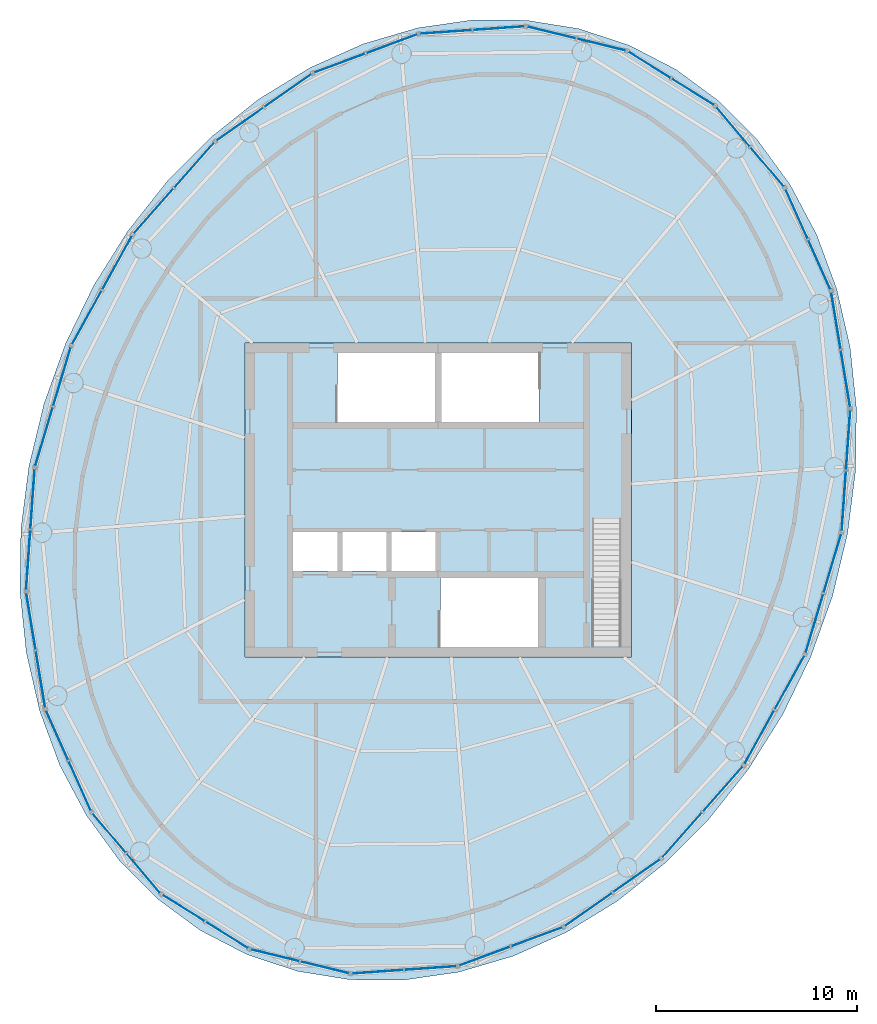
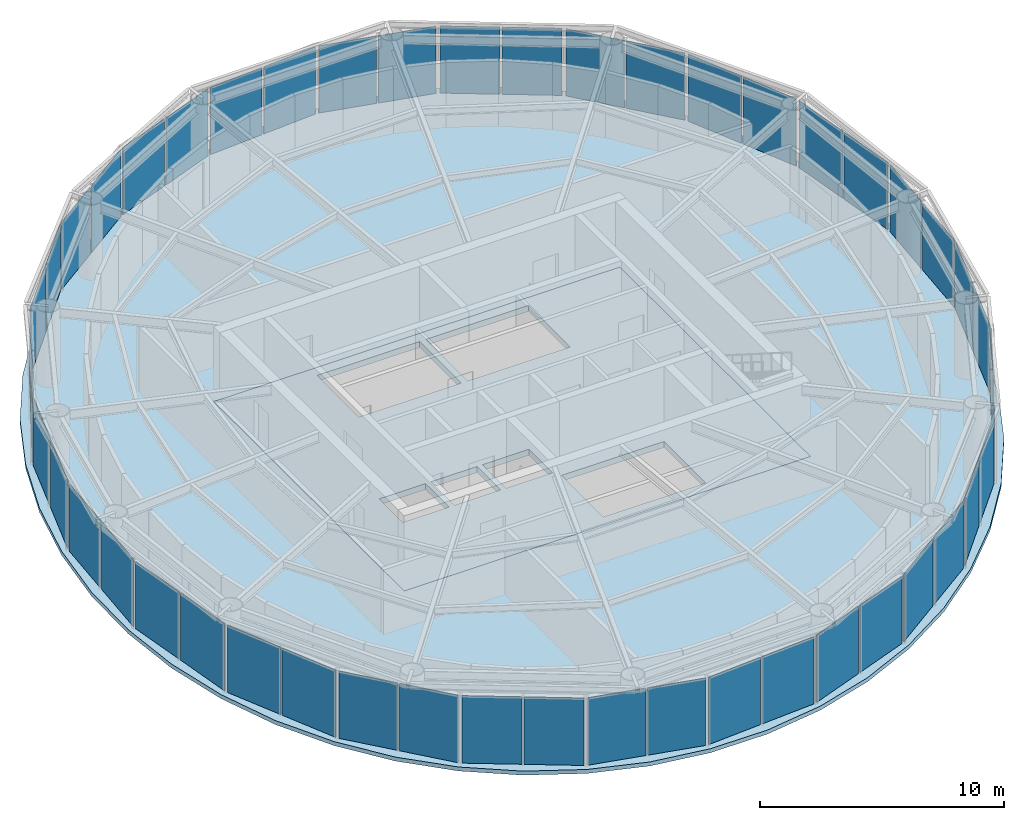
# One storey, part 7 of 11: 48 plates, 2 slabs, 24 elements without a shape of their own.
"""IFC4 building model written with IfcOpenShell, lengths in metres."""

from ifc_helpers import new_model, si_unit, direction, frame, origin, origin_2d, place, context, subcontext, project, spatial, polyline, rectangle, outline, extrude, material, layer, layer_set, type_object, element, aggregate, save


model = new_model("IFC4")

# Units and contexts
model_context = context("Model", 3, precision=1e-05, world=origin(), true_north=direction((0.0, 1.0)))
body_context = subcontext(model_context, "Body", "Model", "MODEL_VIEW")
ifc_project = project(units=[si_unit("LENGTHUNIT", "METRE"), si_unit("AREAUNIT", "SQUARE_METRE"), si_unit("VOLUMEUNIT", "CUBIC_METRE"), si_unit("PLANEANGLEUNIT", "RADIAN"), si_unit("MASSUNIT", "GRAM", prefix="KILO")], contexts=[model_context])

# Site, building, storey
site_placement = place(None, origin())
site = spatial("IfcSite", under=ifc_project, at=site_placement, CompositionType="ELEMENT")
building_placement = place(site_placement, origin())
building = spatial("IfcBuilding", under=site, at=building_placement, Name="Vermilion Reach Broadcast Tower", CompositionType="ELEMENT")
storey_placement = place(building_placement, frame((0.0, 0.0, 325.5)))
storey = spatial("IfcBuildingStorey", under=building, at=storey_placement, Name="L81 CROWN", CompositionType="ELEMENT", Elevation=325.5)

# Slab
ifc_material_1 = material(Name="Concrete C40", Category="concrete")
ifc_layer_1 = layer(ifc_material_1, 0.300048828125)
ifc_layer_set_1 = layer_set([ifc_layer_1], Name="Core floor slab 300 mm Concrete C40")
slab_type_1 = type_object("IfcSlabType", Name="Core floor slab 300 mm Concrete C40", PredefinedType="FLOOR", material=ifc_layer_set_1)
slab_1_placement = place(storey_placement, frame((0.0, 0.0, -0.300048828125)))
element("IfcSlab", 1, at=slab_1_placement, inside=storey, type_object=slab_type_1, Name="L81 CROWN core floor", PredefinedType="FLOOR", context=body_context, shape_type="SweptSolid", body=[
    extrude(outline(polyline([(-15.60009765625, -7.800048828125), (3.60009765625, -7.800048828125), (3.60009765625, 7.800048828125), (-15.60009765625, 7.800048828125), (-15.60009765625, -7.800048828125)]), holes=[polyline([(-13.199951171875, -3.530029296875), (-11.00830078125, -3.530029296875), (-11.00830078125, -1.60009765625), (-13.199951171875, -1.60009765625), (-13.199951171875, -3.530029296875)]), polyline([(-10.75830078125, -3.530029296875), (-8.566650390625, -3.530029296875), (-8.566650390625, -1.60009765625), (-10.75830078125, -1.60009765625), (-10.75830078125, -3.530029296875)]), polyline([(-8.316650390625, -3.530029296875), (-6.125, -3.530029296875), (-6.125, -1.60009765625), (-8.316650390625, -1.60009765625), (-8.316650390625, -3.530029296875)]), polyline([(-10.999267578125, 3.8798828125), (-6.14990234375, 3.8798828125), (-6.14990234375, 7.300048828125), (-10.999267578125, 7.300048828125), (-10.999267578125, 3.8798828125)]), polyline([(-1.000732421875, 7.300048828125), (-5.85009765625, 7.300048828125), (-5.85009765625, 3.8798828125), (-1.000732421875, 3.8798828125), (-1.000732421875, 7.300048828125)]), polyline([(-5.8994140625, -7.300048828125), (-1.050048828125, -7.300048828125), (-1.050048828125, -3.8798828125), (-5.8994140625, -3.8798828125), (-5.8994140625, -7.300048828125)])]), origin(), (0.0, 0.0, 1.0), 0.300048828125),
])

# Curtain wall, plates
ifc_material_2 = material(Name="Low-e laminated clear glass in aluminium frame", Category="aluminium")
curtain_wall_type = type_object("IfcCurtainWallType", Name="Crown glazing curtain wall", PredefinedType="NOTDEFINED", material=ifc_material_2)
placement = place(storey_placement, origin())
curtain_wall_1 = element("IfcCurtainWall", 2, at=placement, inside=storey, type_object=curtain_wall_type, Name="Crown glazing L81 CROWN 01", PredefinedType="NOTDEFINED")
ifc_material_3 = material(Name="Low-e laminated clear glass", Category="glass")
ifc_layer_2 = layer(ifc_material_3, 0.031982421875)
ifc_layer_set_2 = layer_set([ifc_layer_2], Name="Crown glazing glass panel")
plate_type = type_object("IfcPlateType", Name="Crown glazing glass panel", PredefinedType="CURTAIN_PANEL", material=ifc_layer_set_2)
plate_1_placement = place(storey_placement, frame((2.09619140625, 22.6005859375, 0.0), z_axis=(0.0, 0.0, 1.0), x_axis=(-0.971666912045, 0.236354420386, 0.0)))
plate_1 = element("IfcPlate", 3, at=plate_1_placement, type_object=plate_type, Name="Crown glazing glass panel L81 CROWN 01.1.1", PredefinedType="CURTAIN_PANEL", context=body_context, shape_type="SweptSolid", body=[
    extrude(rectangle(XDim=2.462158203125, YDim=0.031982421875, at=origin_2d()), origin(), (0.0, 0.0, 1.0), 3.35009765625),
])
plate_2_placement = place(storey_placement, frame((-0.373779296875, 23.201416015625, 0.0), z_axis=(0.0, 0.0, 1.0), x_axis=(-0.971666912045, 0.236354420386, 0.0)))
plate_2 = element("IfcPlate", 4, at=plate_2_placement, type_object=plate_type, Name="Crown glazing glass panel L81 CROWN 01.2.1", PredefinedType="CURTAIN_PANEL", context=body_context, shape_type="SweptSolid", body=[
    extrude(rectangle(XDim=2.462158203125, YDim=0.031982421875, at=origin_2d()), origin(), (0.0, 0.0, 1.0), 3.35009765625),
])
aggregate(curtain_wall_1, [plate_1, plate_2])

curtain_wall_2 = element("IfcCurtainWall", 5, at=placement, inside=storey, type_object=curtain_wall_type, Name="Crown glazing L81 CROWN 02", PredefinedType="NOTDEFINED")
plate_3_placement = place(storey_placement, frame((-2.997314453125, 23.416259765625, 0.0), z_axis=(0.0, 0.0, 1.0), x_axis=(-0.997541217224, -0.070082236977, 0.0)))
plate_3 = element("IfcPlate", 6, at=plate_3_placement, type_object=plate_type, Name="Crown glazing glass panel L81 CROWN 02.1.1", PredefinedType="CURTAIN_PANEL", context=body_context, shape_type="SweptSolid", body=[
    extrude(rectangle(XDim=2.546142578125, YDim=0.031982421875, at=origin_2d()), origin(), (0.0, 0.0, 1.0), 3.35009765625),
])
plate_4_placement = place(storey_placement, frame((-5.616943359375, 23.232421875, 0.0), z_axis=(0.0, 0.0, 1.0), x_axis=(-0.997541217224, -0.070082236977, 0.0)))
plate_4 = element("IfcPlate", 7, at=plate_4_placement, type_object=plate_type, Name="Crown glazing glass panel L81 CROWN 02.2.1", PredefinedType="CURTAIN_PANEL", context=body_context, shape_type="SweptSolid", body=[
    extrude(rectangle(XDim=2.546142578125, YDim=0.031982421875, at=origin_2d()), origin(), (0.0, 0.0, 1.0), 3.35009765625),
])
aggregate(curtain_wall_2, [plate_3, plate_4])

curtain_wall_3 = element("IfcCurtainWall", 8, at=placement, inside=storey, type_object=curtain_wall_type, Name="Crown glazing L81 CROWN 03", PredefinedType="NOTDEFINED")
plate_5_placement = place(storey_placement, frame((-8.30078125, 22.6435546875, 0.0), z_axis=(0.0, 0.0, 1.0), x_axis=(-0.93775740745, -0.347291008771, 0.0)))
plate_5 = element("IfcPlate", 9, at=plate_5_placement, type_object=plate_type, Name="Crown glazing glass panel L81 CROWN 03.1.1", PredefinedType="CURTAIN_PANEL", context=body_context, shape_type="SweptSolid", body=[
    extrude(rectangle(XDim=2.685302734375, YDim=0.031982421875, at=origin_2d()), origin(), (0.0, 0.0, 1.0), 3.35009765625),
])
plate_6_placement = place(storey_placement, frame((-10.89404296875, 21.68310546875, 0.0), z_axis=(0.0, 0.0, 1.0), x_axis=(-0.93775740745, -0.347291008771, 0.0)))
plate_6 = element("IfcPlate", 10, at=plate_6_placement, type_object=plate_type, Name="Crown glazing glass panel L81 CROWN 03.2.1", PredefinedType="CURTAIN_PANEL", context=body_context, shape_type="SweptSolid", body=[
    extrude(rectangle(XDim=2.685302734375, YDim=0.031982421875, at=origin_2d()), origin(), (0.0, 0.0, 1.0), 3.35009765625),
])
aggregate(curtain_wall_3, [plate_5, plate_6])

curtain_wall_4 = element("IfcCurtainWall", 11, at=placement, inside=storey, type_object=curtain_wall_type, Name="Crown glazing L81 CROWN 04", PredefinedType="NOTDEFINED")
plate_7_placement = place(storey_placement, frame((-13.455322265625, 20.328369140625, 0.0), z_axis=(0.0, 0.0, 1.0), x_axis=(-0.818740335317, -0.574163969023, 0.0)))
plate_7 = element("IfcPlate", 12, at=plate_7_placement, type_object=plate_type, Name="Crown glazing glass panel L81 CROWN 04.1.1", PredefinedType="CURTAIN_PANEL", context=body_context, shape_type="SweptSolid", body=[
    extrude(rectangle(XDim=2.837890625, YDim=0.031982421875, at=origin_2d()), origin(), (0.0, 0.0, 1.0), 3.35009765625),
])
plate_8_placement = place(storey_placement, frame((-15.84423828125, 18.653076171875, 0.0), z_axis=(0.0, 0.0, 1.0), x_axis=(-0.818740335317, -0.574163969023, 0.0)))
plate_8 = element("IfcPlate", 13, at=plate_8_placement, type_object=plate_type, Name="Crown glazing glass panel L81 CROWN 04.2.1", PredefinedType="CURTAIN_PANEL", context=body_context, shape_type="SweptSolid", body=[
    extrude(rectangle(XDim=2.837890625, YDim=0.031982421875, at=origin_2d()), origin(), (0.0, 0.0, 1.0), 3.35009765625),
])
aggregate(curtain_wall_4, [plate_7, plate_8])

curtain_wall_5 = element("IfcCurtainWall", 14, at=placement, inside=storey, type_object=curtain_wall_type, Name="Crown glazing L81 CROWN 05", PredefinedType="NOTDEFINED")
plate_9_placement = place(storey_placement, frame((-18.107421875, 16.62353515625, 0.0), z_axis=(0.0, 0.0, 1.0), x_axis=(-0.663238976934, -0.748407682668, 0.0)))
plate_9 = element("IfcPlate", 15, at=plate_9_placement, type_object=plate_type, Name="Crown glazing glass panel L81 CROWN 05.1.1", PredefinedType="CURTAIN_PANEL", context=body_context, shape_type="SweptSolid", body=[
    extrude(rectangle(XDim=2.963623046875, YDim=0.031982421875, at=origin_2d()), origin(), (0.0, 0.0, 1.0), 3.35009765625),
])
plate_10_placement = place(storey_placement, frame((-20.126220703125, 14.345458984375, 0.0), z_axis=(0.0, 0.0, 1.0), x_axis=(-0.663238976934, -0.748407682668, 0.0)))
plate_10 = element("IfcPlate", 16, at=plate_10_placement, type_object=plate_type, Name="Crown glazing glass panel L81 CROWN 05.2.1", PredefinedType="CURTAIN_PANEL", context=body_context, shape_type="SweptSolid", body=[
    extrude(rectangle(XDim=2.963623046875, YDim=0.031982421875, at=origin_2d()), origin(), (0.0, 0.0, 1.0), 3.35009765625),
])
aggregate(curtain_wall_5, [plate_9, plate_10])

curtain_wall_6 = element("IfcCurtainWall", 17, at=placement, inside=storey, type_object=curtain_wall_type, Name="Crown glazing L81 CROWN 06", PredefinedType="NOTDEFINED")
plate_11_placement = place(storey_placement, frame((-21.935302734375, 11.779296875, 0.0), z_axis=(0.0, 0.0, 1.0), x_axis=(-0.484153280738, -0.874983200268, 0.0)))
plate_11 = element("IfcPlate", 18, at=plate_11_placement, type_object=plate_type, Name="Crown glazing glass panel L81 CROWN 06.1.1", PredefinedType="CURTAIN_PANEL", context=body_context, shape_type="SweptSolid", body=[
    extrude(rectangle(XDim=3.033935546875, YDim=0.031982421875, at=origin_2d()), origin(), (0.0, 0.0, 1.0), 3.35009765625),
])
plate_12_placement = place(storey_placement, frame((-23.44287109375, 9.0546875, 0.0), z_axis=(0.0, 0.0, 1.0), x_axis=(-0.484153280738, -0.874983200268, 0.0)))
plate_12 = element("IfcPlate", 19, at=plate_12_placement, type_object=plate_type, Name="Crown glazing glass panel L81 CROWN 06.2.1", PredefinedType="CURTAIN_PANEL", context=body_context, shape_type="SweptSolid", body=[
    extrude(rectangle(XDim=3.033935546875, YDim=0.031982421875, at=origin_2d()), origin(), (0.0, 0.0, 1.0), 3.35009765625),
])
aggregate(curtain_wall_6, [plate_11, plate_12])

curtain_wall_7 = element("IfcCurtainWall", 20, at=placement, inside=storey, type_object=curtain_wall_type, Name="Crown glazing L81 CROWN 07", PredefinedType="NOTDEFINED")
plate_13_placement = place(storey_placement, frame((-24.67333984375, 6.127197265625, 0.0), z_axis=(0.0, 0.0, 1.0), x_axis=(-0.286407356394, -0.958107940789, 0.0)))
plate_13 = element("IfcPlate", 21, at=plate_13_placement, type_object=plate_type, Name="Crown glazing glass panel L81 CROWN 07.1.1", PredefinedType="CURTAIN_PANEL", context=body_context, shape_type="SweptSolid", body=[
    extrude(rectangle(XDim=3.033935546875, YDim=0.031982421875, at=origin_2d()), origin(), (0.0, 0.0, 1.0), 3.35009765625),
])
plate_14_placement = place(storey_placement, frame((-25.565185546875, 3.143798828125, 0.0), z_axis=(0.0, 0.0, 1.0), x_axis=(-0.286407356394, -0.958107940789, 0.0)))
plate_14 = element("IfcPlate", 22, at=plate_14_placement, type_object=plate_type, Name="Crown glazing glass panel L81 CROWN 07.2.1", PredefinedType="CURTAIN_PANEL", context=body_context, shape_type="SweptSolid", body=[
    extrude(rectangle(XDim=3.033935546875, YDim=0.031982421875, at=origin_2d()), origin(), (0.0, 0.0, 1.0), 3.35009765625),
])
aggregate(curtain_wall_7, [plate_13, plate_14])

curtain_wall_8 = element("IfcCurtainWall", 23, at=placement, inside=storey, type_object=curtain_wall_type, Name="Crown glazing L81 CROWN 08", PredefinedType="NOTDEFINED")
plate_15_placement = place(storey_placement, frame((-26.133056640625, 0.0556640625, 0.0), z_axis=(0.0, 0.0, 1.0), x_axis=(-0.070672712769, -0.997499557729, 0.0)))
plate_15 = element("IfcPlate", 24, at=plate_15_placement, type_object=plate_type, Name="Crown glazing glass panel L81 CROWN 08.1.1", PredefinedType="CURTAIN_PANEL", context=body_context, shape_type="SweptSolid", body=[
    extrude(rectangle(XDim=2.963623046875, YDim=0.031982421875, at=origin_2d()), origin(), (0.0, 0.0, 1.0), 3.35009765625),
])
plate_16_placement = place(storey_placement, frame((-26.34814453125, -2.98046875, 0.0), z_axis=(0.0, 0.0, 1.0), x_axis=(-0.070672712769, -0.997499557729, 0.0)))
plate_16 = element("IfcPlate", 25, at=plate_16_placement, type_object=plate_type, Name="Crown glazing glass panel L81 CROWN 08.2.1", PredefinedType="CURTAIN_PANEL", context=body_context, shape_type="SweptSolid", body=[
    extrude(rectangle(XDim=2.963623046875, YDim=0.031982421875, at=origin_2d()), origin(), (0.0, 0.0, 1.0), 3.35009765625),
])
aggregate(curtain_wall_8, [plate_15, plate_16])

curtain_wall_9 = element("IfcCurtainWall", 26, at=placement, inside=storey, type_object=curtain_wall_type, Name="Crown glazing L81 CROWN 09", PredefinedType="NOTDEFINED")
plate_17_placement = place(storey_placement, frame((-26.21484375, -6.017333984375, 0.0), z_axis=(0.0, 0.0, 1.0), x_axis=(0.162618011697, -0.986689101121, 0.0)))
plate_17 = element("IfcPlate", 27, at=plate_17_placement, type_object=plate_type, Name="Crown glazing glass panel L81 CROWN 09.1.1", PredefinedType="CURTAIN_PANEL", context=body_context, shape_type="SweptSolid", body=[
    extrude(rectangle(XDim=2.837890625, YDim=0.031982421875, at=origin_2d()), origin(), (0.0, 0.0, 1.0), 3.35009765625),
])
plate_18_placement = place(storey_placement, frame((-25.740234375, -8.896240234375, 0.0), z_axis=(0.0, 0.0, 1.0), x_axis=(0.162618011697, -0.986689101121, 0.0)))
plate_18 = element("IfcPlate", 28, at=plate_18_placement, type_object=plate_type, Name="Crown glazing glass panel L81 CROWN 09.2.1", PredefinedType="CURTAIN_PANEL", context=body_context, shape_type="SweptSolid", body=[
    extrude(rectangle(XDim=2.837890625, YDim=0.031982421875, at=origin_2d()), origin(), (0.0, 0.0, 1.0), 3.35009765625),
])
aggregate(curtain_wall_9, [plate_17, plate_18])

curtain_wall_10 = element("IfcCurtainWall", 29, at=placement, inside=storey, type_object=curtain_wall_type, Name="Crown glazing L81 CROWN 10", PredefinedType="NOTDEFINED")
plate_19_placement = place(storey_placement, frame((-24.916015625, -11.67431640625, 0.0), z_axis=(0.0, 0.0, 1.0), x_axis=(0.407984607158, -0.912988806241, 0.0)))
plate_19 = element("IfcPlate", 30, at=plate_19_placement, type_object=plate_type, Name="Crown glazing glass panel L81 CROWN 10.1.1", PredefinedType="CURTAIN_PANEL", context=body_context, shape_type="SweptSolid", body=[
    extrude(rectangle(XDim=2.685302734375, YDim=0.031982421875, at=origin_2d()), origin(), (0.0, 0.0, 1.0), 3.35009765625),
])
plate_20_placement = place(storey_placement, frame((-23.787841796875, -14.198974609375, 0.0), z_axis=(0.0, 0.0, 1.0), x_axis=(0.407984607158, -0.912988806241, 0.0)))
plate_20 = element("IfcPlate", 31, at=plate_20_placement, type_object=plate_type, Name="Crown glazing glass panel L81 CROWN 10.2.1", PredefinedType="CURTAIN_PANEL", context=body_context, shape_type="SweptSolid", body=[
    extrude(rectangle(XDim=2.685302734375, YDim=0.031982421875, at=origin_2d()), origin(), (0.0, 0.0, 1.0), 3.35009765625),
])
aggregate(curtain_wall_10, [plate_19, plate_20])

curtain_wall_11 = element("IfcCurtainWall", 32, at=placement, inside=storey, type_object=curtain_wall_type, Name="Crown glazing L81 CROWN 11", PredefinedType="NOTDEFINED")
plate_21_placement = place(storey_placement, frame((-22.330810546875, -16.528564453125, 0.0), z_axis=(0.0, 0.0, 1.0), x_axis=(0.647871252038, -0.761749854468, 0.0)))
plate_21 = element("IfcPlate", 33, at=plate_21_placement, type_object=plate_type, Name="Crown glazing glass panel L81 CROWN 11.1.1", PredefinedType="CURTAIN_PANEL", context=body_context, shape_type="SweptSolid", body=[
    extrude(rectangle(XDim=2.546142578125, YDim=0.031982421875, at=origin_2d()), origin(), (0.0, 0.0, 1.0), 3.35009765625),
])
plate_22_placement = place(storey_placement, frame((-20.62939453125, -18.52880859375, 0.0), z_axis=(0.0, 0.0, 1.0), x_axis=(0.647871252038, -0.761749854468, 0.0)))
plate_22 = element("IfcPlate", 34, at=plate_22_placement, type_object=plate_type, Name="Crown glazing glass panel L81 CROWN 11.2.1", PredefinedType="CURTAIN_PANEL", context=body_context, shape_type="SweptSolid", body=[
    extrude(rectangle(XDim=2.546142578125, YDim=0.031982421875, at=origin_2d()), origin(), (0.0, 0.0, 1.0), 3.35009765625),
])
aggregate(curtain_wall_11, [plate_21, plate_22])

curtain_wall_12 = element("IfcCurtainWall", 35, at=placement, inside=storey, type_object=curtain_wall_type, Name="Crown glazing L81 CROWN 12", PredefinedType="NOTDEFINED")
plate_23_placement = place(storey_placement, frame((-18.64013671875, -20.2529296875, 0.0), z_axis=(0.0, 0.0, 1.0), x_axis=(0.848708437827, -0.52886102859, 0.0)))
plate_23 = element("IfcPlate", 36, at=plate_23_placement, type_object=plate_type, Name="Crown glazing glass panel L81 CROWN 12.1.1", PredefinedType="CURTAIN_PANEL", context=body_context, shape_type="SweptSolid", body=[
    extrude(rectangle(XDim=2.462158203125, YDim=0.031982421875, at=origin_2d()), origin(), (0.0, 0.0, 1.0), 3.35009765625),
])
plate_24_placement = place(storey_placement, frame((-16.48291015625, -21.597412109375, 0.0), z_axis=(0.0, 0.0, 1.0), x_axis=(0.848708437827, -0.52886102859, 0.0)))
plate_24 = element("IfcPlate", 37, at=plate_24_placement, type_object=plate_type, Name="Crown glazing glass panel L81 CROWN 12.2.1", PredefinedType="CURTAIN_PANEL", context=body_context, shape_type="SweptSolid", body=[
    extrude(rectangle(XDim=2.462158203125, YDim=0.031982421875, at=origin_2d()), origin(), (0.0, 0.0, 1.0), 3.35009765625),
])
aggregate(curtain_wall_12, [plate_23, plate_24])

curtain_wall_13 = element("IfcCurtainWall", 38, at=placement, inside=storey, type_object=curtain_wall_type, Name="Crown glazing L81 CROWN 13", PredefinedType="NOTDEFINED")
plate_25_placement = place(storey_placement, frame((-14.09619140625, -22.6005859375, 0.0), z_axis=(0.0, 0.0, 1.0), x_axis=(0.971666912045, -0.236354420386, 0.0)))
plate_25 = element("IfcPlate", 39, at=plate_25_placement, type_object=plate_type, Name="Crown glazing glass panel L81 CROWN 13.1.1", PredefinedType="CURTAIN_PANEL", context=body_context, shape_type="SweptSolid", body=[
    extrude(rectangle(XDim=2.462158203125, YDim=0.031982421875, at=origin_2d()), origin(), (0.0, 0.0, 1.0), 3.35009765625),
])
plate_26_placement = place(storey_placement, frame((-11.626220703125, -23.201416015625, 0.0), z_axis=(0.0, 0.0, 1.0), x_axis=(0.971666912045, -0.236354420386, 0.0)))
plate_26 = element("IfcPlate", 40, at=plate_26_placement, type_object=plate_type, Name="Crown glazing glass panel L81 CROWN 13.2.1", PredefinedType="CURTAIN_PANEL", context=body_context, shape_type="SweptSolid", body=[
    extrude(rectangle(XDim=2.462158203125, YDim=0.031982421875, at=origin_2d()), origin(), (0.0, 0.0, 1.0), 3.35009765625),
])
aggregate(curtain_wall_13, [plate_25, plate_26])

curtain_wall_14 = element("IfcCurtainWall", 41, at=placement, inside=storey, type_object=curtain_wall_type, Name="Crown glazing L81 CROWN 14", PredefinedType="NOTDEFINED")
plate_27_placement = place(storey_placement, frame((-9.002685546875, -23.416259765625, 0.0), z_axis=(0.0, 0.0, 1.0), x_axis=(0.997541217224, 0.070082236977, 0.0)))
plate_27 = element("IfcPlate", 42, at=plate_27_placement, type_object=plate_type, Name="Crown glazing glass panel L81 CROWN 14.1.1", PredefinedType="CURTAIN_PANEL", context=body_context, shape_type="SweptSolid", body=[
    extrude(rectangle(XDim=2.546142578125, YDim=0.031982421875, at=origin_2d()), origin(), (0.0, 0.0, 1.0), 3.35009765625),
])
plate_28_placement = place(storey_placement, frame((-6.383056640625, -23.232421875, 0.0), z_axis=(0.0, 0.0, 1.0), x_axis=(0.997541217224, 0.070082236977, 0.0)))
plate_28 = element("IfcPlate", 43, at=plate_28_placement, type_object=plate_type, Name="Crown glazing glass panel L81 CROWN 14.2.1", PredefinedType="CURTAIN_PANEL", context=body_context, shape_type="SweptSolid", body=[
    extrude(rectangle(XDim=2.546142578125, YDim=0.031982421875, at=origin_2d()), origin(), (0.0, 0.0, 1.0), 3.35009765625),
])
aggregate(curtain_wall_14, [plate_27, plate_28])

curtain_wall_15 = element("IfcCurtainWall", 44, at=placement, inside=storey, type_object=curtain_wall_type, Name="Crown glazing L81 CROWN 15", PredefinedType="NOTDEFINED")
plate_29_placement = place(storey_placement, frame((-3.69921875, -22.6435546875, 0.0), z_axis=(0.0, 0.0, 1.0), x_axis=(0.93775740745, 0.347291008771, 0.0)))
plate_29 = element("IfcPlate", 45, at=plate_29_placement, type_object=plate_type, Name="Crown glazing glass panel L81 CROWN 15.1.1", PredefinedType="CURTAIN_PANEL", context=body_context, shape_type="SweptSolid", body=[
    extrude(rectangle(XDim=2.685302734375, YDim=0.031982421875, at=origin_2d()), origin(), (0.0, 0.0, 1.0), 3.35009765625),
])
plate_30_placement = place(storey_placement, frame((-1.10595703125, -21.68310546875, 0.0), z_axis=(0.0, 0.0, 1.0), x_axis=(0.93775740745, 0.347291008771, 0.0)))
plate_30 = element("IfcPlate", 46, at=plate_30_placement, type_object=plate_type, Name="Crown glazing glass panel L81 CROWN 15.2.1", PredefinedType="CURTAIN_PANEL", context=body_context, shape_type="SweptSolid", body=[
    extrude(rectangle(XDim=2.685302734375, YDim=0.031982421875, at=origin_2d()), origin(), (0.0, 0.0, 1.0), 3.35009765625),
])
aggregate(curtain_wall_15, [plate_29, plate_30])

curtain_wall_16 = element("IfcCurtainWall", 47, at=placement, inside=storey, type_object=curtain_wall_type, Name="Crown glazing L81 CROWN 16", PredefinedType="NOTDEFINED")
plate_31_placement = place(storey_placement, frame((1.455322265625, -20.328369140625, 0.0), z_axis=(0.0, 0.0, 1.0), x_axis=(0.818740335317, 0.574163969023, 0.0)))
plate_31 = element("IfcPlate", 48, at=plate_31_placement, type_object=plate_type, Name="Crown glazing glass panel L81 CROWN 16.1.1", PredefinedType="CURTAIN_PANEL", context=body_context, shape_type="SweptSolid", body=[
    extrude(rectangle(XDim=2.837890625, YDim=0.031982421875, at=origin_2d()), origin(), (0.0, 0.0, 1.0), 3.35009765625),
])
plate_32_placement = place(storey_placement, frame((3.84423828125, -18.653076171875, 0.0), z_axis=(0.0, 0.0, 1.0), x_axis=(0.818740335317, 0.574163969023, 0.0)))
plate_32 = element("IfcPlate", 49, at=plate_32_placement, type_object=plate_type, Name="Crown glazing glass panel L81 CROWN 16.2.1", PredefinedType="CURTAIN_PANEL", context=body_context, shape_type="SweptSolid", body=[
    extrude(rectangle(XDim=2.837890625, YDim=0.031982421875, at=origin_2d()), origin(), (0.0, 0.0, 1.0), 3.35009765625),
])
aggregate(curtain_wall_16, [plate_31, plate_32])

curtain_wall_17 = element("IfcCurtainWall", 50, at=placement, inside=storey, type_object=curtain_wall_type, Name="Crown glazing L81 CROWN 17", PredefinedType="NOTDEFINED")
plate_33_placement = place(storey_placement, frame((6.107421875, -16.62353515625, 0.0), z_axis=(0.0, 0.0, 1.0), x_axis=(0.663238976934, 0.748407682668, 0.0)))
plate_33 = element("IfcPlate", 51, at=plate_33_placement, type_object=plate_type, Name="Crown glazing glass panel L81 CROWN 17.1.1", PredefinedType="CURTAIN_PANEL", context=body_context, shape_type="SweptSolid", body=[
    extrude(rectangle(XDim=2.963623046875, YDim=0.031982421875, at=origin_2d()), origin(), (0.0, 0.0, 1.0), 3.35009765625),
])
plate_34_placement = place(storey_placement, frame((8.126220703125, -14.345458984375, 0.0), z_axis=(0.0, 0.0, 1.0), x_axis=(0.663238976934, 0.748407682668, 0.0)))
plate_34 = element("IfcPlate", 52, at=plate_34_placement, type_object=plate_type, Name="Crown glazing glass panel L81 CROWN 17.2.1", PredefinedType="CURTAIN_PANEL", context=body_context, shape_type="SweptSolid", body=[
    extrude(rectangle(XDim=2.963623046875, YDim=0.031982421875, at=origin_2d()), origin(), (0.0, 0.0, 1.0), 3.35009765625),
])
aggregate(curtain_wall_17, [plate_33, plate_34])

curtain_wall_18 = element("IfcCurtainWall", 53, at=placement, inside=storey, type_object=curtain_wall_type, Name="Crown glazing L81 CROWN 18", PredefinedType="NOTDEFINED")
plate_35_placement = place(storey_placement, frame((9.935302734375, -11.779296875, 0.0), z_axis=(0.0, 0.0, 1.0), x_axis=(0.484153280738, 0.874983200268, 0.0)))
plate_35 = element("IfcPlate", 54, at=plate_35_placement, type_object=plate_type, Name="Crown glazing glass panel L81 CROWN 18.1.1", PredefinedType="CURTAIN_PANEL", context=body_context, shape_type="SweptSolid", body=[
    extrude(rectangle(XDim=3.033935546875, YDim=0.031982421875, at=origin_2d()), origin(), (0.0, 0.0, 1.0), 3.35009765625),
])
plate_36_placement = place(storey_placement, frame((11.44287109375, -9.0546875, 0.0), z_axis=(0.0, 0.0, 1.0), x_axis=(0.484153280738, 0.874983200268, 0.0)))
plate_36 = element("IfcPlate", 55, at=plate_36_placement, type_object=plate_type, Name="Crown glazing glass panel L81 CROWN 18.2.1", PredefinedType="CURTAIN_PANEL", context=body_context, shape_type="SweptSolid", body=[
    extrude(rectangle(XDim=3.033935546875, YDim=0.031982421875, at=origin_2d()), origin(), (0.0, 0.0, 1.0), 3.35009765625),
])
aggregate(curtain_wall_18, [plate_35, plate_36])

curtain_wall_19 = element("IfcCurtainWall", 56, at=placement, inside=storey, type_object=curtain_wall_type, Name="Crown glazing L81 CROWN 19", PredefinedType="NOTDEFINED")
plate_37_placement = place(storey_placement, frame((12.67333984375, -6.127197265625, 0.0), z_axis=(0.0, 0.0, 1.0), x_axis=(0.286407356394, 0.958107940789, 0.0)))
plate_37 = element("IfcPlate", 57, at=plate_37_placement, type_object=plate_type, Name="Crown glazing glass panel L81 CROWN 19.1.1", PredefinedType="CURTAIN_PANEL", context=body_context, shape_type="SweptSolid", body=[
    extrude(rectangle(XDim=3.033935546875, YDim=0.031982421875, at=origin_2d()), origin(), (0.0, 0.0, 1.0), 3.35009765625),
])
plate_38_placement = place(storey_placement, frame((13.565185546875, -3.143798828125, 0.0), z_axis=(0.0, 0.0, 1.0), x_axis=(0.286407356394, 0.958107940789, 0.0)))
plate_38 = element("IfcPlate", 58, at=plate_38_placement, type_object=plate_type, Name="Crown glazing glass panel L81 CROWN 19.2.1", PredefinedType="CURTAIN_PANEL", context=body_context, shape_type="SweptSolid", body=[
    extrude(rectangle(XDim=3.033935546875, YDim=0.031982421875, at=origin_2d()), origin(), (0.0, 0.0, 1.0), 3.35009765625),
])
aggregate(curtain_wall_19, [plate_37, plate_38])

curtain_wall_20 = element("IfcCurtainWall", 59, at=placement, inside=storey, type_object=curtain_wall_type, Name="Crown glazing L81 CROWN 20", PredefinedType="NOTDEFINED")
plate_39_placement = place(storey_placement, frame((14.133056640625, -0.0556640625, 0.0), z_axis=(0.0, 0.0, 1.0), x_axis=(0.070672712769, 0.997499557729, 0.0)))
plate_39 = element("IfcPlate", 60, at=plate_39_placement, type_object=plate_type, Name="Crown glazing glass panel L81 CROWN 20.1.1", PredefinedType="CURTAIN_PANEL", context=body_context, shape_type="SweptSolid", body=[
    extrude(rectangle(XDim=2.963623046875, YDim=0.031982421875, at=origin_2d()), origin(), (0.0, 0.0, 1.0), 3.35009765625),
])
plate_40_placement = place(storey_placement, frame((14.34814453125, 2.98046875, 0.0), z_axis=(0.0, 0.0, 1.0), x_axis=(0.070672712769, 0.997499557729, 0.0)))
plate_40 = element("IfcPlate", 61, at=plate_40_placement, type_object=plate_type, Name="Crown glazing glass panel L81 CROWN 20.2.1", PredefinedType="CURTAIN_PANEL", context=body_context, shape_type="SweptSolid", body=[
    extrude(rectangle(XDim=2.963623046875, YDim=0.031982421875, at=origin_2d()), origin(), (0.0, 0.0, 1.0), 3.35009765625),
])
aggregate(curtain_wall_20, [plate_39, plate_40])

curtain_wall_21 = element("IfcCurtainWall", 62, at=placement, inside=storey, type_object=curtain_wall_type, Name="Crown glazing L81 CROWN 21", PredefinedType="NOTDEFINED")
plate_41_placement = place(storey_placement, frame((14.21484375, 6.017333984375, 0.0), z_axis=(0.0, 0.0, 1.0), x_axis=(-0.162618011697, 0.986689101121, 0.0)))
plate_41 = element("IfcPlate", 63, at=plate_41_placement, type_object=plate_type, Name="Crown glazing glass panel L81 CROWN 21.1.1", PredefinedType="CURTAIN_PANEL", context=body_context, shape_type="SweptSolid", body=[
    extrude(rectangle(XDim=2.837890625, YDim=0.031982421875, at=origin_2d()), origin(), (0.0, 0.0, 1.0), 3.35009765625),
])
plate_42_placement = place(storey_placement, frame((13.740234375, 8.896240234375, 0.0), z_axis=(0.0, 0.0, 1.0), x_axis=(-0.162618011697, 0.986689101121, 0.0)))
plate_42 = element("IfcPlate", 64, at=plate_42_placement, type_object=plate_type, Name="Crown glazing glass panel L81 CROWN 21.2.1", PredefinedType="CURTAIN_PANEL", context=body_context, shape_type="SweptSolid", body=[
    extrude(rectangle(XDim=2.837890625, YDim=0.031982421875, at=origin_2d()), origin(), (0.0, 0.0, 1.0), 3.35009765625),
])
aggregate(curtain_wall_21, [plate_41, plate_42])

curtain_wall_22 = element("IfcCurtainWall", 65, at=placement, inside=storey, type_object=curtain_wall_type, Name="Crown glazing L81 CROWN 22", PredefinedType="NOTDEFINED")
plate_43_placement = place(storey_placement, frame((12.916015625, 11.67431640625, 0.0), z_axis=(0.0, 0.0, 1.0), x_axis=(-0.407984607158, 0.912988806241, 0.0)))
plate_43 = element("IfcPlate", 66, at=plate_43_placement, type_object=plate_type, Name="Crown glazing glass panel L81 CROWN 22.1.1", PredefinedType="CURTAIN_PANEL", context=body_context, shape_type="SweptSolid", body=[
    extrude(rectangle(XDim=2.685302734375, YDim=0.031982421875, at=origin_2d()), origin(), (0.0, 0.0, 1.0), 3.35009765625),
])
plate_44_placement = place(storey_placement, frame((11.787841796875, 14.198974609375, 0.0), z_axis=(0.0, 0.0, 1.0), x_axis=(-0.407984607158, 0.912988806241, 0.0)))
plate_44 = element("IfcPlate", 67, at=plate_44_placement, type_object=plate_type, Name="Crown glazing glass panel L81 CROWN 22.2.1", PredefinedType="CURTAIN_PANEL", context=body_context, shape_type="SweptSolid", body=[
    extrude(rectangle(XDim=2.685302734375, YDim=0.031982421875, at=origin_2d()), origin(), (0.0, 0.0, 1.0), 3.35009765625),
])
aggregate(curtain_wall_22, [plate_43, plate_44])

curtain_wall_23 = element("IfcCurtainWall", 68, at=placement, inside=storey, type_object=curtain_wall_type, Name="Crown glazing L81 CROWN 23", PredefinedType="NOTDEFINED")
plate_45_placement = place(storey_placement, frame((10.330810546875, 16.528564453125, 0.0), z_axis=(0.0, 0.0, 1.0), x_axis=(-0.647871252038, 0.761749854468, 0.0)))
plate_45 = element("IfcPlate", 69, at=plate_45_placement, type_object=plate_type, Name="Crown glazing glass panel L81 CROWN 23.1.1", PredefinedType="CURTAIN_PANEL", context=body_context, shape_type="SweptSolid", body=[
    extrude(rectangle(XDim=2.546142578125, YDim=0.031982421875, at=origin_2d()), origin(), (0.0, 0.0, 1.0), 3.35009765625),
])
plate_46_placement = place(storey_placement, frame((8.62939453125, 18.52880859375, 0.0), z_axis=(0.0, 0.0, 1.0), x_axis=(-0.647871252038, 0.761749854468, 0.0)))
plate_46 = element("IfcPlate", 70, at=plate_46_placement, type_object=plate_type, Name="Crown glazing glass panel L81 CROWN 23.2.1", PredefinedType="CURTAIN_PANEL", context=body_context, shape_type="SweptSolid", body=[
    extrude(rectangle(XDim=2.546142578125, YDim=0.031982421875, at=origin_2d()), origin(), (0.0, 0.0, 1.0), 3.35009765625),
])
aggregate(curtain_wall_23, [plate_45, plate_46])

curtain_wall_24 = element("IfcCurtainWall", 71, at=placement, inside=storey, type_object=curtain_wall_type, Name="Crown glazing L81 CROWN 24", PredefinedType="NOTDEFINED")
plate_47_placement = place(storey_placement, frame((6.64013671875, 20.2529296875, 0.0), z_axis=(0.0, 0.0, 1.0), x_axis=(-0.848708437827, 0.52886102859, 0.0)))
plate_47 = element("IfcPlate", 72, at=plate_47_placement, type_object=plate_type, Name="Crown glazing glass panel L81 CROWN 24.1.1", PredefinedType="CURTAIN_PANEL", context=body_context, shape_type="SweptSolid", body=[
    extrude(rectangle(XDim=2.462158203125, YDim=0.031982421875, at=origin_2d()), origin(), (0.0, 0.0, 1.0), 3.35009765625),
])
plate_48_placement = place(storey_placement, frame((4.48291015625, 21.597412109375, 0.0), z_axis=(0.0, 0.0, 1.0), x_axis=(-0.848708437827, 0.52886102859, 0.0)))
plate_48 = element("IfcPlate", 73, at=plate_48_placement, type_object=plate_type, Name="Crown glazing glass panel L81 CROWN 24.2.1", PredefinedType="CURTAIN_PANEL", context=body_context, shape_type="SweptSolid", body=[
    extrude(rectangle(XDim=2.462158203125, YDim=0.031982421875, at=origin_2d()), origin(), (0.0, 0.0, 1.0), 3.35009765625),
])
aggregate(curtain_wall_24, [plate_47, plate_48])

# Slab
ifc_material_4 = material(Name="Concrete C40", Category="concrete")
ifc_layer_3 = layer(ifc_material_4, 0.199951171875)
ifc_layer_set_3 = layer_set([ifc_layer_3], Name="Floor slab Concrete C40 200")
slab_type_2 = type_object("IfcSlabType", Name="Floor slab Concrete C40 200", PredefinedType="FLOOR", material=ifc_layer_set_3)
slab_2_placement = place(storey_placement, frame((0.0, 0.0, -0.199951171875)))
element("IfcSlab", 74, at=slab_2_placement, inside=storey, type_object=slab_type_2, Name="Floor slab L81 CROWN", PredefinedType="FLOOR", context=body_context, shape_type="SweptSolid", body=[
    extrude(outline(polyline([(3.486328125, 22.567138671875), (0.991455078125, 23.388916015625), (-1.623046875, 23.810302734375), (-4.3125, 23.82421875), (-7.03076171875, 23.4306640625), (-9.7314453125, 22.635986328125), (-12.368408203125, 21.4541015625), (-14.896240234375, 19.9052734375), (-17.271728515625, 18.015625), (-19.45458984375, 15.81787109375), (-21.4072265625, 13.349609375), (-23.09619140625, 10.652587890625), (-24.49267578125, 7.773681640625), (-25.572509765625, 4.761474609375), (-26.317626953125, 1.66796875), (-26.715087890625, -1.454345703125), (-26.75830078125, -4.551513671875), (-26.446044921875, -7.57080078125), (-25.7841796875, -10.460693359375), (-24.78369140625, -13.171630859375), (-23.461669921875, -15.656982421875), (-21.841064453125, -17.87451171875), (-19.949462890625, -19.786376953125), (-17.819091796875, -21.359375), (-15.486328125, -22.567138671875), (-12.991455078125, -23.388916015625), (-10.376953125, -23.810302734375), (-7.6875, -23.82421875), (-4.96923828125, -23.4306640625), (-2.2685546875, -22.635986328125), (0.368408203125, -21.4541015625), (2.896240234375, -19.9052734375), (5.271728515625, -18.015625), (7.45458984375, -15.81787109375), (9.4072265625, -13.349609375), (11.09619140625, -10.652587890625), (12.49267578125, -7.773681640625), (13.572509765625, -4.761474609375), (14.317626953125, -1.66796875), (14.715087890625, 1.454345703125), (14.75830078125, 4.551513671875), (14.446044921875, 7.57080078125), (13.7841796875, 10.460693359375), (12.78369140625, 13.171630859375), (11.461669921875, 15.656982421875), (9.841064453125, 17.87451171875), (7.949462890625, 19.786376953125), (5.819091796875, 21.359375), (3.486328125, 22.567138671875)]), holes=[polyline([(-15.60009765625, -7.800048828125), (3.60009765625, -7.800048828125), (3.60009765625, 7.800048828125), (-15.60009765625, 7.800048828125), (-15.60009765625, -7.800048828125)])]), origin(), (0.0, 0.0, 1.0), 0.199951171875),
])

save(model, "model.ifc")
